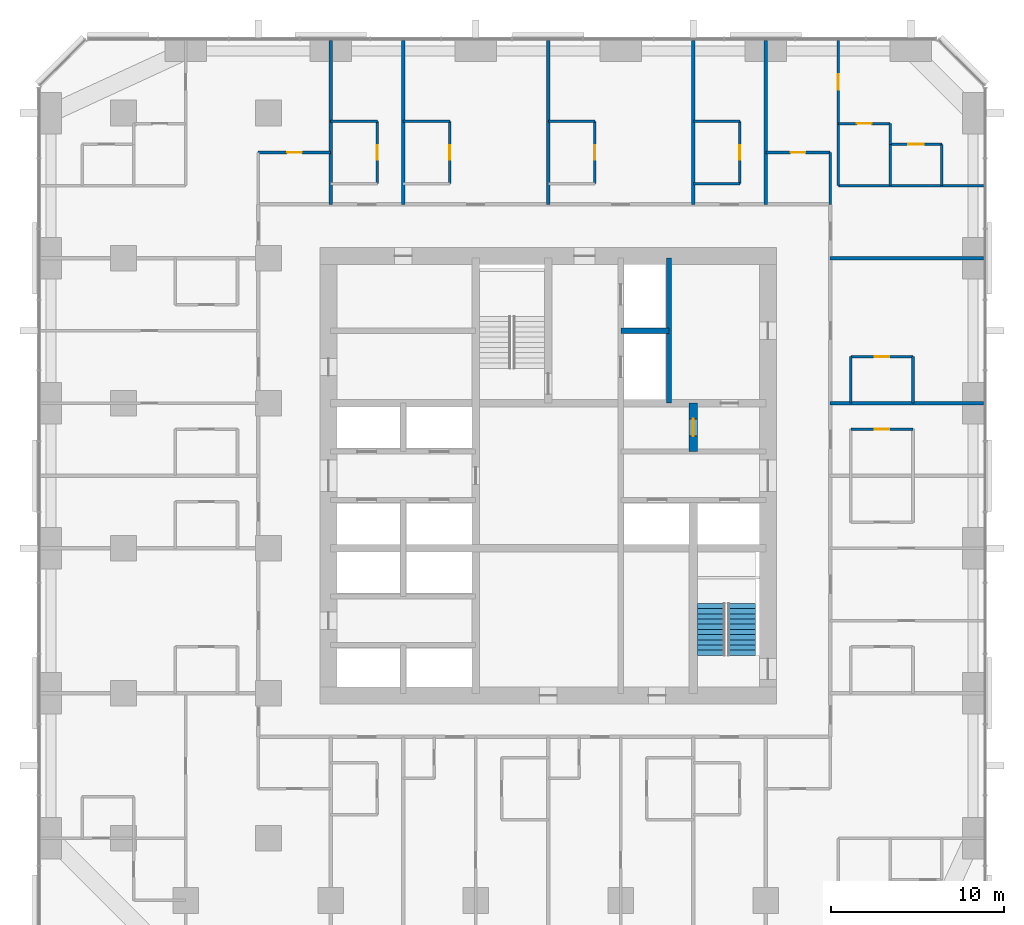
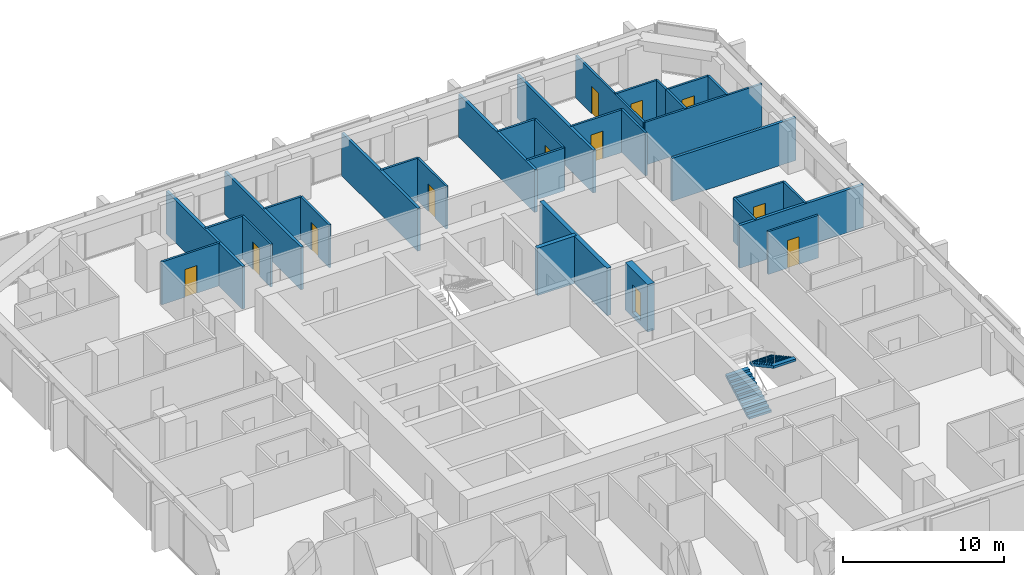
# One storey, part 12 of 14: 33 walls, 12 doors, 2 stair flights, 12 openings, 1 element without a shape of its own.
"""IFC4 building model written with IfcOpenShell, lengths in metres."""

from ifc_helpers import new_model, si_unit, direction, frame, frame_2d, origin, place, context, subcontext, project, spatial, polyline, rectangle, outline, extrude, material, layer, layer_set, type_object, element, fill, aggregate, save


model = new_model("IFC4")

# Units and contexts
model_context = context("Model", 3, precision=1e-05, world=origin(), true_north=direction((0.0, 1.0)))
body_context = subcontext(model_context, "Body", "Model", "MODEL_VIEW")
ifc_project = project(units=[si_unit("LENGTHUNIT", "METRE"), si_unit("AREAUNIT", "SQUARE_METRE"), si_unit("VOLUMEUNIT", "CUBIC_METRE"), si_unit("PLANEANGLEUNIT", "RADIAN"), si_unit("MASSUNIT", "GRAM", prefix="KILO")], contexts=[model_context])

# Site, building, storey
site_placement = place(None, origin())
site = spatial("IfcSite", under=ifc_project, at=site_placement, CompositionType="ELEMENT")
building_placement = place(site_placement, origin())
building = spatial("IfcBuilding", under=site, at=building_placement, Name="Dunama Terrace Hotel", CompositionType="ELEMENT")
storey_placement = place(building_placement, frame((0.0, 0.0, 140.39990234375)))
storey = spatial("IfcBuildingStorey", under=building, at=storey_placement, Name="L36", CompositionType="ELEMENT", Elevation=140.39990234375)

# Wall, opening, door
ifc_material_1 = material(Name="Gypsum board partition", Category="masonry")
ifc_layer_1 = layer(ifc_material_1, 0.14990234375)
ifc_layer_set_1 = layer_set([ifc_layer_1], Name="Bathroom partition 150")
wall_type_1 = type_object("IfcWallType", Name="Bathroom partition 150", PredefinedType="PARTITIONING", material=ifc_layer_set_1)
wall_1_placement = place(storey_placement, frame((19.5, 46.324951171875, 0.0), z_axis=(0.0, 0.0, 1.0), x_axis=(0.0, 1.0, 0.0)))
wall_1 = element("IfcWall", 1, at=wall_1_placement, inside=storey, type_object=wall_type_1, Name="Bathroom partition 150 L36", PredefinedType="PARTITIONING", context=body_context, shape_type="SweptSolid", body=[
    extrude(rectangle(XDim=3.60009765625, YDim=0.14990234375, at=frame_2d((1.800048828125, 0.0))), origin(), (0.0, 0.0, 1.0), 3.25),
])
opening_1_placement = place(wall_1_placement, frame((1.375, 0.0, 0.0)))
opening_1 = element("IfcOpeningElement", 2, at=opening_1_placement, cuts=wall_1, Name="Opening L34-36-033", PredefinedType="OPENING", context=body_context, shape_type="SweptSolid", body=[
    extrude(rectangle(XDim=0.85009765625, YDim=2.10009765625, at=frame_2d((0.425048828125, 1.050048828125))), frame((0.0, 0.0849609375, 0.0), z_axis=(0.0, -1.0, 0.0), x_axis=(1.0, 0.0, 0.0)), (0.0, 0.0, 1.0), 0.169921875),
])
ifc_material_2 = material(Name="Timber door with steel frame", Category="steel")
door_type_1 = type_object("IfcDoorType", Name="Bathroom door 850", OperationType="SINGLE_SWING_LEFT", PredefinedType="DOOR", material=ifc_material_2)
door_1_placement = place(opening_1_placement, origin())
door_1 = element("IfcDoor", 3, at=door_1_placement, inside=storey, type_object=door_type_1, Name="Door to en-suite bathroom L34-36-033, type D2", OperationType="SINGLE_SWING_RIGHT", OverallHeight=2.10009765625, OverallWidth=0.85009765625, PredefinedType="DOOR", context=body_context, shape_type="SweptSolid", body=[
    extrude(rectangle(XDim=0.85009765625, YDim=2.10009765625, at=frame_2d((0.425048828125, 1.050048828125))), frame((0.0, 0.02490234375, 0.0), z_axis=(0.0, -1.0, 0.0), x_axis=(1.0, 0.0, 0.0)), (0.0, 0.0, 1.0), 0.050048828125),
])
fill(opening_1, door_1)

wall_2_placement = place(storey_placement, frame((23.699951171875, 46.324951171875, 0.0), z_axis=(0.0, 0.0, 1.0), x_axis=(0.0, 1.0, 0.0)))
wall_2 = element("IfcWall", 4, at=wall_2_placement, inside=storey, type_object=wall_type_1, Name="Bathroom partition 150 L36", PredefinedType="PARTITIONING", context=body_context, shape_type="SweptSolid", body=[
    extrude(rectangle(XDim=3.60009765625, YDim=0.14990234375, at=frame_2d((1.800048828125, 0.0))), origin(), (0.0, 0.0, 1.0), 3.25),
])
opening_2_placement = place(wall_2_placement, frame((1.375, 0.0, 0.0)))
opening_2 = element("IfcOpeningElement", 5, at=opening_2_placement, cuts=wall_2, Name="Opening L34-36-035", PredefinedType="OPENING", context=body_context, shape_type="SweptSolid", body=[
    extrude(rectangle(XDim=0.85009765625, YDim=2.10009765625, at=frame_2d((0.425048828125, 1.050048828125))), frame((0.0, 0.0849609375, 0.0), z_axis=(0.0, -1.0, 0.0), x_axis=(1.0, 0.0, 0.0)), (0.0, 0.0, 1.0), 0.169921875),
])
door_2_placement = place(opening_2_placement, origin())
door_2 = element("IfcDoor", 6, at=door_2_placement, inside=storey, type_object=door_type_1, Name="Door to en-suite bathroom L34-36-035, type D2", OperationType="SINGLE_SWING_RIGHT", OverallHeight=2.10009765625, OverallWidth=0.85009765625, PredefinedType="DOOR", context=body_context, shape_type="SweptSolid", body=[
    extrude(rectangle(XDim=0.85009765625, YDim=2.10009765625, at=frame_2d((0.425048828125, 1.050048828125))), frame((0.0, 0.02490234375, 0.0), z_axis=(0.0, -1.0, 0.0), x_axis=(1.0, 0.0, 0.0)), (0.0, 0.0, 1.0), 0.050048828125),
])
fill(opening_2, door_2)

wall_3_placement = place(storey_placement, frame((32.10009765625, 46.324951171875, 0.0), z_axis=(0.0, 0.0, 1.0), x_axis=(0.0, 1.0, 0.0)))
wall_3 = element("IfcWall", 7, at=wall_3_placement, inside=storey, type_object=wall_type_1, Name="Bathroom partition 150 L36", PredefinedType="PARTITIONING", context=body_context, shape_type="SweptSolid", body=[
    extrude(rectangle(XDim=3.60009765625, YDim=0.14990234375, at=frame_2d((1.800048828125, 0.0))), origin(), (0.0, 0.0, 1.0), 3.25),
])
opening_3_placement = place(wall_3_placement, frame((1.375, 0.0, 0.0)))
opening_3 = element("IfcOpeningElement", 8, at=opening_3_placement, cuts=wall_3, Name="Opening L34-36-037", PredefinedType="OPENING", context=body_context, shape_type="SweptSolid", body=[
    extrude(rectangle(XDim=0.85009765625, YDim=2.10009765625, at=frame_2d((0.425048828125, 1.050048828125))), frame((0.0, 0.0849609375, 0.0), z_axis=(0.0, -1.0, 0.0), x_axis=(1.0, 0.0, 0.0)), (0.0, 0.0, 1.0), 0.169921875),
])
door_3_placement = place(opening_3_placement, origin())
door_3 = element("IfcDoor", 9, at=door_3_placement, inside=storey, type_object=door_type_1, Name="Door to en-suite bathroom L34-36-037, type D2", OperationType="SINGLE_SWING_RIGHT", OverallHeight=2.10009765625, OverallWidth=0.85009765625, PredefinedType="DOOR", context=body_context, shape_type="SweptSolid", body=[
    extrude(rectangle(XDim=0.85009765625, YDim=2.10009765625, at=frame_2d((0.425048828125, 1.050048828125))), frame((0.0, 0.02490234375, 0.0), z_axis=(0.0, -1.0, 0.0), x_axis=(1.0, 0.0, 0.0)), (0.0, 0.0, 1.0), 0.050048828125),
])
fill(opening_3, door_3)

wall_4_placement = place(storey_placement, frame((40.5, 46.324951171875, 0.0), z_axis=(0.0, 0.0, 1.0), x_axis=(0.0, 1.0, 0.0)))
wall_4 = element("IfcWall", 10, at=wall_4_placement, inside=storey, type_object=wall_type_1, Name="Bathroom partition 150 L36", PredefinedType="PARTITIONING", context=body_context, shape_type="SweptSolid", body=[
    extrude(rectangle(XDim=3.60009765625, YDim=0.14990234375, at=frame_2d((1.800048828125, 0.0))), origin(), (0.0, 0.0, 1.0), 3.25),
])
opening_4_placement = place(wall_4_placement, frame((1.375, 0.0, 0.0)))
opening_4 = element("IfcOpeningElement", 11, at=opening_4_placement, cuts=wall_4, Name="Opening L34-36-039", PredefinedType="OPENING", context=body_context, shape_type="SweptSolid", body=[
    extrude(rectangle(XDim=0.85009765625, YDim=2.10009765625, at=frame_2d((0.425048828125, 1.050048828125))), frame((0.0, 0.0849609375, 0.0), z_axis=(0.0, -1.0, 0.0), x_axis=(1.0, 0.0, 0.0)), (0.0, 0.0, 1.0), 0.169921875),
])
door_4_placement = place(opening_4_placement, origin())
door_4 = element("IfcDoor", 12, at=door_4_placement, inside=storey, type_object=door_type_1, Name="Door to en-suite bathroom L34-36-039, type D2", OperationType="SINGLE_SWING_RIGHT", OverallHeight=2.10009765625, OverallWidth=0.85009765625, PredefinedType="DOOR", context=body_context, shape_type="SweptSolid", body=[
    extrude(rectangle(XDim=0.85009765625, YDim=2.10009765625, at=frame_2d((0.425048828125, 1.050048828125))), frame((0.0, 0.02490234375, 0.0), z_axis=(0.0, -1.0, 0.0), x_axis=(1.0, 0.0, 0.0)), (0.0, 0.0, 1.0), 0.050048828125),
])
fill(opening_4, door_4)

# Walls
wall_5_placement = place(storey_placement, frame((45.72509765625, 45.125, 0.0), z_axis=(0.0, 0.0, 1.0), x_axis=(0.0, 1.0, 0.0)))
element("IfcWall", 13, at=wall_5_placement, inside=storey, type_object=wall_type_1, Name="Bathroom partition 150 L36", PredefinedType="PARTITIONING", context=body_context, shape_type="SweptSolid", body=[
    extrude(rectangle(XDim=3.0, YDim=0.14990234375, at=frame_2d((1.5, 0.0))), origin(), (0.0, 0.0, 1.0), 3.25),
])
wall_6_placement = place(storey_placement, frame((46.925048828125, 33.60009765625, 0.0), z_axis=(0.0, 0.0, 1.0), x_axis=(0.0, 1.0, 0.0)))
element("IfcWall", 14, at=wall_6_placement, inside=storey, type_object=wall_type_1, Name="Bathroom partition 150 L36", PredefinedType="PARTITIONING", context=body_context, shape_type="SweptSolid", body=[
    extrude(rectangle(XDim=2.699951171875, YDim=0.14990234375, at=frame_2d((1.35009765625, 0.0))), origin(), (0.0, 0.0, 1.0), 3.25),
])
wall_7_placement = place(storey_placement, frame((49.199951171875, 48.60009765625, 0.0), z_axis=(0.0, 0.0, 1.0), x_axis=(0.0, 1.0, 0.0)))
element("IfcWall", 15, at=wall_7_placement, inside=storey, type_object=wall_type_1, Name="Bathroom partition 150 L36", PredefinedType="PARTITIONING", context=body_context, shape_type="SweptSolid", body=[
    extrude(rectangle(XDim=1.199951171875, YDim=0.14990234375, at=frame_2d((0.60009765625, 0.0))), origin(), (0.0, 0.0, 1.0), 3.25),
])
wall_8_placement = place(storey_placement, frame((50.52490234375, 33.60009765625, 0.0), z_axis=(0.0, 0.0, 1.0), x_axis=(0.0, 1.0, 0.0)))
element("IfcWall", 16, at=wall_8_placement, inside=storey, type_object=wall_type_1, Name="Bathroom partition 150 L36", PredefinedType="PARTITIONING", context=body_context, shape_type="SweptSolid", body=[
    extrude(rectangle(XDim=2.699951171875, YDim=0.14990234375, at=frame_2d((1.35009765625, 0.0))), origin(), (0.0, 0.0, 1.0), 3.25),
])

# Wall, opening, door
wall_9_placement = place(storey_placement, frame((46.925048828125, 32.10009765625, 0.0), z_axis=(0.0, 0.0, 1.0), x_axis=(1.0, 0.0, 0.0)))
wall_9 = element("IfcWall", 17, at=wall_9_placement, inside=storey, type_object=wall_type_1, Name="Bathroom partition 150 L36", PredefinedType="PARTITIONING", context=body_context, shape_type="SweptSolid", body=[
    extrude(rectangle(XDim=3.599853515625, YDim=0.14990234375, at=frame_2d((1.7998046875, 0.0))), origin(), (0.0, 0.0, 1.0), 3.25),
])
opening_5_placement = place(wall_9_placement, frame((1.375, 0.0, 0.0)))
opening_5 = element("IfcOpeningElement", 18, at=opening_5_placement, cuts=wall_9, Name="Opening L34-36-029", PredefinedType="OPENING", context=body_context, shape_type="SweptSolid", body=[
    extrude(rectangle(XDim=0.85009765625, YDim=2.10009765625, at=frame_2d((0.425048828125, 1.050048828125))), frame((0.0, 0.0849609375, 0.0), z_axis=(0.0, -1.0, 0.0), x_axis=(1.0, 0.0, 0.0)), (0.0, 0.0, 1.0), 0.169921875),
])
door_5_placement = place(opening_5_placement, frame((0.85009765625, 0.0, 0.0), z_axis=(0.0, 0.0, 1.0), x_axis=(-1.0, 0.0, 0.0)))
door_5 = element("IfcDoor", 19, at=door_5_placement, inside=storey, type_object=door_type_1, Name="Door to en-suite bathroom L34-36-029, type D2", OperationType="SINGLE_SWING_RIGHT", OverallHeight=2.10009765625, OverallWidth=0.85009765625, PredefinedType="DOOR", context=body_context, shape_type="SweptSolid", body=[
    extrude(rectangle(XDim=0.85009765625, YDim=2.10009765625, at=frame_2d((0.425048828125, 1.050048828125))), frame((0.0, 0.025146484375, 0.0), z_axis=(0.0, -1.0, 0.0), x_axis=(1.0, 0.0, 0.0)), (0.0, 0.0, 1.0), 0.050048828125),
])
fill(opening_5, door_5)

wall_10_placement = place(storey_placement, frame((46.925048828125, 36.300048828125, 0.0), z_axis=(0.0, 0.0, 1.0), x_axis=(1.0, 0.0, 0.0)))
wall_10 = element("IfcWall", 20, at=wall_10_placement, inside=storey, type_object=wall_type_1, Name="Bathroom partition 150 L36", PredefinedType="PARTITIONING", context=body_context, shape_type="SweptSolid", body=[
    extrude(rectangle(XDim=3.599853515625, YDim=0.14990234375, at=frame_2d((1.7998046875, 0.0))), origin(), (0.0, 0.0, 1.0), 3.25),
])
opening_6_placement = place(wall_10_placement, frame((1.375, 0.0, 0.0)))
opening_6 = element("IfcOpeningElement", 21, at=opening_6_placement, cuts=wall_10, Name="Opening L34-36-031", PredefinedType="OPENING", context=body_context, shape_type="SweptSolid", body=[
    extrude(rectangle(XDim=0.85009765625, YDim=2.10009765625, at=frame_2d((0.425048828125, 1.050048828125))), frame((0.0, 0.0849609375, 0.0), z_axis=(0.0, -1.0, 0.0), x_axis=(1.0, 0.0, 0.0)), (0.0, 0.0, 1.0), 0.169921875),
])
door_6_placement = place(opening_6_placement, frame((0.85009765625, 0.0, 0.0), z_axis=(0.0, 0.0, 1.0), x_axis=(-1.0, 0.0, 0.0)))
door_6 = element("IfcDoor", 22, at=door_6_placement, inside=storey, type_object=door_type_1, Name="Door to en-suite bathroom L34-36-031, type D2", OperationType="SINGLE_SWING_RIGHT", OverallHeight=2.10009765625, OverallWidth=0.85009765625, PredefinedType="DOOR", context=body_context, shape_type="SweptSolid", body=[
    extrude(rectangle(XDim=0.85009765625, YDim=2.10009765625, at=frame_2d((0.425048828125, 1.050048828125))), frame((0.0, 0.025146484375, 0.0), z_axis=(0.0, -1.0, 0.0), x_axis=(1.0, 0.0, 0.0)), (0.0, 0.0, 1.0), 0.050048828125),
])
fill(opening_6, door_6)

# Wall
wall_11_placement = place(storey_placement, frame((37.800048828125, 46.324951171875, 0.0), z_axis=(0.0, 0.0, 1.0), x_axis=(1.0, 0.0, 0.0)))
element("IfcWall", 23, at=wall_11_placement, inside=storey, type_object=wall_type_1, Name="Bathroom partition 150 L36", PredefinedType="PARTITIONING", context=body_context, shape_type="SweptSolid", body=[
    extrude(rectangle(XDim=2.699951171875, YDim=0.14990234375, at=frame_2d((1.35009765625, 0.0))), origin(), (0.0, 0.0, 1.0), 3.25),
])

# Wall, opening, door
wall_12_placement = place(storey_placement, frame((12.60009765625, 48.125, 0.0), z_axis=(0.0, 0.0, 1.0), x_axis=(1.0, 0.0, 0.0)))
wall_12 = element("IfcWall", 24, at=wall_12_placement, inside=storey, type_object=wall_type_1, Name="Bathroom partition 150 L36", PredefinedType="PARTITIONING", context=body_context, shape_type="SweptSolid", body=[
    extrude(rectangle(XDim=4.199951171875, YDim=0.14990234375, at=frame_2d((2.10009765625, 0.0))), origin(), (0.0, 0.0, 1.0), 3.25),
])
opening_7_placement = place(wall_12_placement, frame((1.675048828125, 0.0, 0.0)))
opening_7 = element("IfcOpeningElement", 25, at=opening_7_placement, cuts=wall_12, Name="Opening L34-36-066", PredefinedType="OPENING", context=body_context, shape_type="SweptSolid", body=[
    extrude(rectangle(XDim=0.85009765625, YDim=2.10009765625, at=frame_2d((0.425048828125, 1.050048828125))), frame((0.0, 0.0849609375, 0.0), z_axis=(0.0, -1.0, 0.0), x_axis=(1.0, 0.0, 0.0)), (0.0, 0.0, 1.0), 0.169921875),
])
door_7_placement = place(opening_7_placement, frame((0.85009765625, 0.0, 0.0), z_axis=(0.0, 0.0, 1.0), x_axis=(-1.0, 0.0, 0.0)))
door_7 = element("IfcDoor", 26, at=door_7_placement, inside=storey, type_object=door_type_1, Name="Door to powder room L34-36-066, type D2", OperationType="SINGLE_SWING_RIGHT", OverallHeight=2.10009765625, OverallWidth=0.85009765625, PredefinedType="DOOR", context=body_context, shape_type="SweptSolid", body=[
    extrude(rectangle(XDim=0.85009765625, YDim=2.10009765625, at=frame_2d((0.425048828125, 1.050048828125))), frame((0.0, 0.025146484375, 0.0), z_axis=(0.0, -1.0, 0.0), x_axis=(1.0, 0.0, 0.0)), (0.0, 0.0, 1.0), 0.050048828125),
])
fill(opening_7, door_7)

wall_13_placement = place(storey_placement, frame((42.0, 48.125, 0.0), z_axis=(0.0, 0.0, 1.0), x_axis=(1.0, 0.0, 0.0)))
wall_13 = element("IfcWall", 27, at=wall_13_placement, inside=storey, type_object=wall_type_1, Name="Bathroom partition 150 L36", PredefinedType="PARTITIONING", context=body_context, shape_type="SweptSolid", body=[
    extrude(rectangle(XDim=3.72509765625, YDim=0.14990234375, at=frame_2d((1.862548828125, 0.0))), origin(), (0.0, 0.0, 1.0), 3.25),
])
opening_8_placement = place(wall_13_placement, frame((1.43798828125, 0.0, 0.0)))
opening_8 = element("IfcOpeningElement", 28, at=opening_8_placement, cuts=wall_13, Name="Opening L34-36-061", PredefinedType="OPENING", context=body_context, shape_type="SweptSolid", body=[
    extrude(rectangle(XDim=0.85009765625, YDim=2.10009765625, at=frame_2d((0.425048828125, 1.050048828125))), frame((0.0, 0.0849609375, 0.0), z_axis=(0.0, -1.0, 0.0), x_axis=(1.0, 0.0, 0.0)), (0.0, 0.0, 1.0), 0.169921875),
])
door_8_placement = place(opening_8_placement, frame((0.85009765625, 0.0, 0.0), z_axis=(0.0, 0.0, 1.0), x_axis=(-1.0, 0.0, 0.0)))
door_8 = element("IfcDoor", 29, at=door_8_placement, inside=storey, type_object=door_type_1, Name="Door to powder room L34-36-061, type D2", OperationType="SINGLE_SWING_RIGHT", OverallHeight=2.10009765625, OverallWidth=0.85009765625, PredefinedType="DOOR", context=body_context, shape_type="SweptSolid", body=[
    extrude(rectangle(XDim=0.85009765625, YDim=2.10009765625, at=frame_2d((0.425048828125, 1.050048828125))), frame((0.0, 0.025146484375, 0.0), z_axis=(0.0, -1.0, 0.0), x_axis=(1.0, 0.0, 0.0)), (0.0, 0.0, 1.0), 0.050048828125),
])
fill(opening_8, door_8)

wall_14_placement = place(storey_placement, frame((46.199951171875, 49.800048828125, 0.0), z_axis=(0.0, 0.0, 1.0), x_axis=(1.0, 0.0, 0.0)))
wall_14 = element("IfcWall", 30, at=wall_14_placement, inside=storey, type_object=wall_type_1, Name="Bathroom partition 150 L36", PredefinedType="PARTITIONING", context=body_context, shape_type="SweptSolid", body=[
    extrude(rectangle(XDim=3.0, YDim=0.14990234375, at=frame_2d((1.5, 0.0))), origin(), (0.0, 0.0, 1.0), 3.25),
])
opening_9_placement = place(wall_14_placement, frame((1.074951171875, 0.0, 0.0)))
opening_9 = element("IfcOpeningElement", 31, at=opening_9_placement, cuts=wall_14, Name="Opening L34-36-063", PredefinedType="OPENING", context=body_context, shape_type="SweptSolid", body=[
    extrude(rectangle(XDim=0.85009765625, YDim=2.10009765625, at=frame_2d((0.425048828125, 1.050048828125))), frame((0.0, 0.0849609375, 0.0), z_axis=(0.0, -1.0, 0.0), x_axis=(1.0, 0.0, 0.0)), (0.0, 0.0, 1.0), 0.169921875),
])
door_9_placement = place(opening_9_placement, frame((0.85009765625, 0.0, 0.0), z_axis=(0.0, 0.0, 1.0), x_axis=(-1.0, 0.0, 0.0)))
door_9 = element("IfcDoor", 32, at=door_9_placement, inside=storey, type_object=door_type_1, Name="Door to en-suite bathroom L34-36-063, type D2", OperationType="SINGLE_SWING_LEFT", OverallHeight=2.10009765625, OverallWidth=0.85009765625, PredefinedType="DOOR", context=body_context, shape_type="SweptSolid", body=[
    extrude(rectangle(XDim=0.85009765625, YDim=2.10009765625, at=frame_2d((0.425048828125, 1.050048828125))), frame((0.0, 0.025146484375, 0.0), z_axis=(0.0, -1.0, 0.0), x_axis=(1.0, 0.0, 0.0)), (0.0, 0.0, 1.0), 0.050048828125),
])
fill(opening_9, door_9)

# Walls
for number, where, z_axis, x_axis, name in (
    (33, (16.800048828125, 49.925048828125, 0.0), (0.0, 0.0, 1.0), (1.0, 0.0, 0.0), "Bathroom partition 150 L36"),
    (34, (21.0, 49.925048828125, 0.0), (0.0, 0.0, 1.0), (1.0, 0.0, 0.0), "Bathroom partition 150 L36"),
):
    element("IfcWall", number, at=place(storey_placement, frame(where, z_axis=z_axis, x_axis=x_axis)), inside=storey, type_object=wall_type_1, Name=name, PredefinedType="PARTITIONING", context=body_context, shape_type="SweptSolid", body=[
        extrude(rectangle(XDim=2.699951171875, YDim=0.14990234375, at=frame_2d((1.35009765625, 0.0))), origin(), (0.0, 0.0, 1.0), 3.25),
    ])
wall_15_placement = place(storey_placement, frame((29.39990234375, 49.925048828125, 0.0), z_axis=(0.0, 0.0, 1.0), x_axis=(1.0, 0.0, 0.0)))
element("IfcWall", 35, at=wall_15_placement, inside=storey, type_object=wall_type_1, Name="Bathroom partition 150 L36", PredefinedType="PARTITIONING", context=body_context, shape_type="SweptSolid", body=[
    extrude(rectangle(XDim=2.7001953125, YDim=0.14990234375, at=frame_2d((1.35009765625, 0.0))), origin(), (0.0, 0.0, 1.0), 3.25),
])
wall_16_placement = place(storey_placement, frame((37.800048828125, 49.925048828125, 0.0), z_axis=(0.0, 0.0, 1.0), x_axis=(1.0, 0.0, 0.0)))
element("IfcWall", 36, at=wall_16_placement, inside=storey, type_object=wall_type_1, Name="Bathroom partition 150 L36", PredefinedType="PARTITIONING", context=body_context, shape_type="SweptSolid", body=[
    extrude(rectangle(XDim=2.699951171875, YDim=0.14990234375, at=frame_2d((1.35009765625, 0.0))), origin(), (0.0, 0.0, 1.0), 3.25),
])
ifc_material_3 = material(Name="Concrete C50/60", Category="concrete")
ifc_layer_2 = layer(ifc_material_3, 0.300048828125)
ifc_layer_set_2 = layer_set([ifc_layer_2], Name="Core inner wall 300")
wall_type_2 = type_object("IfcWallType", Name="Core inner wall 300", PredefinedType="SHEAR", material=ifc_layer_set_2)
wall_17_placement = place(storey_placement, frame((36.39990234375, 33.60009765625, -0.349853515625), z_axis=(0.0, 0.0, 1.0), x_axis=(0.0, 1.0, 0.0)))
element("IfcWall", 37, at=wall_17_placement, inside=storey, type_object=wall_type_2, Name="Core inner wall 300 L36", PredefinedType="SHEAR", context=body_context, shape_type="SweptSolid", body=[
    extrude(rectangle(XDim=8.39990234375, YDim=0.300048828125, at=frame_2d((4.199951171875, 0.0))), origin(), (0.0, 0.0, 1.0), 3.599853515625),
])
wall_18_placement = place(storey_placement, frame((33.60009765625, 37.800048828125, -0.349853515625), z_axis=(0.0, 0.0, 1.0), x_axis=(1.0, 0.0, 0.0)))
element("IfcWall", 38, at=wall_18_placement, inside=storey, type_object=wall_type_2, Name="Core inner wall 300 L36", PredefinedType="SHEAR", context=body_context, shape_type="SweptSolid", body=[
    extrude(rectangle(XDim=2.7998046875, YDim=0.300048828125, at=frame_2d((1.39990234375, 0.0))), origin(), (0.0, 0.0, 1.0), 3.599853515625),
])

# Wall, opening, door
ifc_material_4 = material(Name="Concrete C50/60", Category="concrete")
ifc_layer_3 = layer(ifc_material_4, 0.5)
ifc_layer_set_3 = layer_set([ifc_layer_3], Name="Core inner wall 500")
wall_type_3 = type_object("IfcWallType", Name="Core inner wall 500", PredefinedType="SHEAR", material=ifc_layer_set_3)
wall_19_placement = place(storey_placement, frame((37.800048828125, 30.800048828125, -0.349853515625), z_axis=(0.0, 0.0, 1.0), x_axis=(0.0, 1.0, 0.0)))
wall_19 = element("IfcWall", 39, at=wall_19_placement, inside=storey, type_object=wall_type_3, Name="Core inner wall 500 L36", PredefinedType="SHEAR", context=body_context, shape_type="SweptSolid", body=[
    extrude(rectangle(XDim=2.800048828125, YDim=0.5, at=frame_2d((1.39990234375, 0.0))), origin(), (0.0, 0.0, 1.0), 3.599853515625),
])
opening_10_placement = place(wall_19_placement, frame((0.89990234375, 0.0, 0.35009765625)))
opening_10 = element("IfcOpeningElement", 40, at=opening_10_placement, cuts=wall_19, Name="Opening L34-36-075", PredefinedType="OPENING", context=body_context, shape_type="SweptSolid", body=[
    extrude(rectangle(XDim=1.0, YDim=2.10009765625, at=frame_2d((0.5, 1.050048828125))), frame((0.0, 0.260009765625, 0.0), z_axis=(0.0, -1.0, 0.0), x_axis=(1.0, 0.0, 0.0)), (0.0, 0.0, 1.0), 0.52001953125),
])
ifc_material_5 = material(Name="Timber door with steel frame", Category="steel")
door_type_2 = type_object("IfcDoorType", Name="Service door 1000", OperationType="SINGLE_SWING_LEFT", PredefinedType="DOOR", material=ifc_material_5)
door_10_placement = place(opening_10_placement, frame((1.0, 0.0, 0.0), z_axis=(0.0, 0.0, 1.0), x_axis=(-1.0, 0.0, 0.0)))
door_10 = element("IfcDoor", 41, at=door_10_placement, inside=storey, type_object=door_type_2, Name="Door to service riser L34-36-075, type D7", OperationType="SINGLE_SWING_LEFT", OverallHeight=2.10009765625, OverallWidth=1.0, PredefinedType="DOOR", context=body_context, shape_type="SweptSolid", body=[
    extrude(rectangle(XDim=1.0, YDim=2.10009765625, at=frame_2d((0.5, 1.050048828125))), frame((0.0, 0.025146484375, 0.0), z_axis=(0.0, -1.0, 0.0), x_axis=(1.0, 0.0, 0.0)), (0.0, 0.0, 1.0), 0.050048828125),
])
fill(opening_10, door_10)

# Walls
ifc_material_6 = material(Name="Concrete blockwork", Category="masonry")
ifc_layer_4 = layer(ifc_material_6, 0.199951171875)
ifc_layer_set_4 = layer_set([ifc_layer_4], Name="Party wall 200")
wall_type_4 = type_object("IfcWallType", Name="Party wall 200", PredefinedType="PARTITIONING", material=ifc_layer_set_4)
for number, where, z_axis, x_axis, name in (
    (42, (16.800048828125, 45.125, 0.0), (0.0, 0.0, 1.0), (0.0, 1.0, 0.0), "Party wall 200 L36"),
    (43, (21.0, 45.125, 0.0), (0.0, 0.0, 1.0), (0.0, 1.0, 0.0), "Party wall 200 L36"),
    (44, (29.39990234375, 45.125, 0.0), (0.0, 0.0, 1.0), (0.0, 1.0, 0.0), "Party wall 200 L36"),
    (45, (37.800048828125, 45.125, 0.0), (0.0, 0.0, 1.0), (0.0, 1.0, 0.0), "Party wall 200 L36"),
    (46, (42.0, 45.125, 0.0), (0.0, 0.0, 1.0), (0.0, 1.0, 0.0), "Party wall 200 L36"),
):
    element("IfcWall", number, at=place(storey_placement, frame(where, z_axis=z_axis, x_axis=x_axis)), inside=storey, type_object=wall_type_4, Name=name, PredefinedType="PARTITIONING", context=body_context, shape_type="SweptSolid", body=[
        extrude(rectangle(XDim=9.492919921875, YDim=0.199951171875, at=frame_2d((4.74658203125, 0.0))), origin(), (0.0, 0.0, 1.0), 3.25),
    ])
for number, where, z_axis, x_axis, name in (
    (47, (45.72509765625, 33.60009765625, 0.0), (0.0, 0.0, 1.0), (1.0, 0.0, 0.0), "Party wall 200 L36"),
    (48, (45.72509765625, 42.0, 0.0), (0.0, 0.0, 1.0), (1.0, 0.0, 0.0), "Party wall 200 L36"),
):
    element("IfcWall", number, at=place(storey_placement, frame(where, z_axis=z_axis, x_axis=x_axis)), inside=storey, type_object=wall_type_4, Name=name, PredefinedType="PARTITIONING", context=body_context, shape_type="SweptSolid", body=[
        extrude(rectangle(XDim=8.892822265625, YDim=0.199951171875, at=frame_2d((4.4462890625, 0.0))), origin(), (0.0, 0.0, 1.0), 3.25),
    ])

# Wall, opening, door
ifc_material_7 = material(Name="Gypsum board partition", Category="masonry")
ifc_layer_5 = layer(ifc_material_7, 0.14990234375)
ifc_layer_set_5 = layer_set([ifc_layer_5], Name="Room partition 150")
wall_type_5 = type_object("IfcWallType", Name="Room partition 150", PredefinedType="PARTITIONING", material=ifc_layer_set_5)
wall_20_placement = place(storey_placement, frame((46.199951171875, 46.199951171875, 0.0), z_axis=(0.0, 0.0, 1.0), x_axis=(0.0, 1.0, 0.0)))
wall_20 = element("IfcWall", 49, at=wall_20_placement, inside=storey, type_object=wall_type_5, Name="Room partition 150 L36", PredefinedType="PARTITIONING", context=body_context, shape_type="SweptSolid", body=[
    extrude(rectangle(XDim=8.41796875, YDim=0.14990234375, at=frame_2d((4.208984375, 0.0))), origin(), (0.0, 0.0, 1.0), 3.25),
])
opening_11_placement = place(wall_20_placement, frame((5.550048828125, 0.0, 0.0)))
opening_11 = element("IfcOpeningElement", 50, at=opening_11_placement, cuts=wall_20, Name="Opening L34-36-062", PredefinedType="OPENING", context=body_context, shape_type="SweptSolid", body=[
    extrude(rectangle(XDim=0.89990234375, YDim=2.10009765625, at=frame_2d((0.449951171875, 1.050048828125))), frame((0.0, 0.0849609375, 0.0), z_axis=(0.0, -1.0, 0.0), x_axis=(1.0, 0.0, 0.0)), (0.0, 0.0, 1.0), 0.169921875),
])
ifc_material_8 = material(Name="Timber door with steel frame", Category="steel")
door_type_3 = type_object("IfcDoorType", Name="Suite internal door 900", OperationType="SINGLE_SWING_LEFT", PredefinedType="DOOR", material=ifc_material_8)
door_11_placement = place(opening_11_placement, frame((0.89990234375, 0.0, 0.0), z_axis=(0.0, 0.0, 1.0), x_axis=(-1.0, 0.0, 0.0)))
door_11 = element("IfcDoor", 51, at=door_11_placement, inside=storey, type_object=door_type_3, Name="Door to corner suite bedroom L34-36-062, type D16", OperationType="SINGLE_SWING_RIGHT", OverallHeight=2.10009765625, OverallWidth=0.89990234375, PredefinedType="DOOR", context=body_context, shape_type="SweptSolid", body=[
    extrude(rectangle(XDim=0.89990234375, YDim=2.10009765625, at=frame_2d((0.449951171875, 1.050048828125))), frame((0.0, 0.025146484375, 0.0), z_axis=(0.0, -1.0, 0.0), x_axis=(1.0, 0.0, 0.0)), (0.0, 0.0, 1.0), 0.050048828125),
])
fill(opening_11, door_11)

# Walls
for number, where, z_axis, x_axis, name in (
    (52, (49.199951171875, 46.199951171875, 0.0), (0.0, 0.0, 1.0), (0.0, 1.0, 0.0), "Room partition 150 L36"),
    (53, (52.199951171875, 46.199951171875, 0.0), (0.0, 0.0, 1.0), (0.0, 1.0, 0.0), "Room partition 150 L36"),
):
    element("IfcWall", number, at=place(storey_placement, frame(where, z_axis=z_axis, x_axis=x_axis)), inside=storey, type_object=wall_type_5, Name=name, PredefinedType="PARTITIONING", context=body_context, shape_type="SweptSolid", body=[
        extrude(rectangle(XDim=2.400146484375, YDim=0.14990234375, at=frame_2d((1.2001953125, 0.0))), origin(), (0.0, 0.0, 1.0), 3.25),
    ])
wall_21_placement = place(storey_placement, frame((46.199951171875, 46.199951171875, 0.0), z_axis=(0.0, 0.0, 1.0), x_axis=(1.0, 0.0, 0.0)))
element("IfcWall", 54, at=wall_21_placement, inside=storey, type_object=wall_type_5, Name="Room partition 150 L36", PredefinedType="PARTITIONING", context=body_context, shape_type="SweptSolid", body=[
    extrude(rectangle(XDim=8.41796875, YDim=0.14990234375, at=frame_2d((4.208984375, 0.0))), origin(), (0.0, 0.0, 1.0), 3.25),
])

# Wall, opening, door
wall_22_placement = place(storey_placement, frame((49.199951171875, 48.60009765625, 0.0), z_axis=(0.0, 0.0, 1.0), x_axis=(1.0, 0.0, 0.0)))
wall_22 = element("IfcWall", 55, at=wall_22_placement, inside=storey, type_object=wall_type_5, Name="Room partition 150 L36", PredefinedType="PARTITIONING", context=body_context, shape_type="SweptSolid", body=[
    extrude(rectangle(XDim=3.0, YDim=0.14990234375, at=frame_2d((1.5, 0.0))), origin(), (0.0, 0.0, 1.0), 3.25),
])
opening_12_placement = place(wall_22_placement, frame((1.050048828125, 0.0, 0.0)))
opening_12 = element("IfcOpeningElement", 56, at=opening_12_placement, cuts=wall_22, Name="Opening L34-36-064", PredefinedType="OPENING", context=body_context, shape_type="SweptSolid", body=[
    extrude(rectangle(XDim=0.89990234375, YDim=2.10009765625, at=frame_2d((0.449951171875, 1.050048828125))), frame((0.0, 0.0849609375, 0.0), z_axis=(0.0, -1.0, 0.0), x_axis=(1.0, 0.0, 0.0)), (0.0, 0.0, 1.0), 0.169921875),
])
door_12_placement = place(opening_12_placement, frame((0.89990234375, 0.0, 0.0), z_axis=(0.0, 0.0, 1.0), x_axis=(-1.0, 0.0, 0.0)))
door_12 = element("IfcDoor", 57, at=door_12_placement, inside=storey, type_object=door_type_3, Name="Door to dressing room L34-36-064, type D16", OperationType="SINGLE_SWING_RIGHT", OverallHeight=2.10009765625, OverallWidth=0.89990234375, PredefinedType="DOOR", context=body_context, shape_type="SweptSolid", body=[
    extrude(rectangle(XDim=0.89990234375, YDim=2.10009765625, at=frame_2d((0.449951171875, 1.050048828125))), frame((0.0, 0.025146484375, 0.0), z_axis=(0.0, -1.0, 0.0), x_axis=(1.0, 0.0, 0.0)), (0.0, 0.0, 1.0), 0.050048828125),
])
fill(opening_12, door_12)

# Stair, stair flights
ifc_material_9 = material(Name="Concrete C40/50", Category="concrete")
stair_type = type_object("IfcStairType", Name="Stair ST2-3600-1600", PredefinedType="HALF_TURN_STAIR", material=ifc_material_9)
stair_placement = place(storey_placement, origin())
stair = element("IfcStair", 58, at=stair_placement, inside=storey, type_object=stair_type, Name="Stair ST2 L36", PredefinedType="HALF_TURN_STAIR")
ifc_material_10 = material(Name="Concrete C40/50", Category="concrete")
stair_flight_type = type_object("IfcStairFlightType", Name="Stair flight ST2-3600-1600", PredefinedType="STRAIGHT", material=ifc_material_10)
stair_flight_1_placement = place(storey_placement, frame((38.85009765625, 19.0, 0.0), z_axis=(0.0, 0.0, 1.0), x_axis=(0.0, 1.0, 0.0)))
stair_flight_1 = element("IfcStairFlight", 59, at=stair_flight_1_placement, type_object=stair_flight_type, Name="ST2 flight 1", NumberOfRisers=11, NumberOfTreads=10, PredefinedType="STRAIGHT", RiserHeight=0.163636364, TreadLength=0.3, context=body_context, shape_type="SweptSolid", body=[
    extrude(outline(polyline([(0.0, 0.0), (0.0, 0.16357421875), (0.300048828125, 0.16357421875), (0.300048828125, 0.327392578125), (0.60009765625, 0.327392578125), (0.60009765625, 0.490966796875), (0.89990234375, 0.490966796875), (0.89990234375, 0.654541015625), (1.199951171875, 0.654541015625), (1.199951171875, 0.818115234375), (1.5, 0.818115234375), (1.5, 0.98193359375), (1.800048828125, 0.98193359375), (1.800048828125, 1.1455078125), (2.10009765625, 1.1455078125), (2.10009765625, 1.30908203125), (2.39990234375, 1.30908203125), (2.39990234375, 1.47265625), (2.699951171875, 1.47265625), (2.699951171875, 1.636474609375), (3.0, 1.636474609375), (3.0, 1.800048828125), (3.0, 1.465576171875), (0.31298828125, 0.0), (0.0, 0.0)])), frame((0.0, 0.800048828125, 0.0), z_axis=(0.0, -1.0, 0.0), x_axis=(1.0, 0.0, 0.0)), (0.0, 0.0, 1.0), 1.60009765625),
])
stair_flight_2_placement = place(storey_placement, frame((40.60009765625, 22.0, 1.800048828125), z_axis=(0.0, 0.0, 1.0), x_axis=(0.0, -1.0, 0.0)))
stair_flight_2 = element("IfcStairFlight", 60, at=stair_flight_2_placement, type_object=stair_flight_type, Name="ST2 flight 2", NumberOfRisers=11, NumberOfTreads=10, PredefinedType="STRAIGHT", RiserHeight=0.163636364, TreadLength=0.3, context=body_context, shape_type="SweptSolid", body=[
    extrude(outline(polyline([(0.0, 0.0), (0.0, 0.16357421875), (0.300048828125, 0.16357421875), (0.300048828125, 0.327392578125), (0.60009765625, 0.327392578125), (0.60009765625, 0.490966796875), (0.89990234375, 0.490966796875), (0.89990234375, 0.654541015625), (1.199951171875, 0.654541015625), (1.199951171875, 0.818115234375), (1.5, 0.818115234375), (1.5, 0.98193359375), (1.800048828125, 0.98193359375), (1.800048828125, 1.1455078125), (2.10009765625, 1.1455078125), (2.10009765625, 1.30908203125), (2.39990234375, 1.30908203125), (2.39990234375, 1.47265625), (2.699951171875, 1.47265625), (2.699951171875, 1.636474609375), (3.0, 1.636474609375), (3.0, 1.800048828125), (3.0, 1.465576171875), (0.31298828125, 0.0), (0.0, 0.0)])), frame((0.0, 0.800048828125, 0.0), z_axis=(0.0, -1.0, 0.0), x_axis=(1.0, 0.0, 0.0)), (0.0, 0.0, 1.0), 1.60009765625),
])
aggregate(stair, [stair_flight_1, stair_flight_2])

save(model, "model.ifc")
